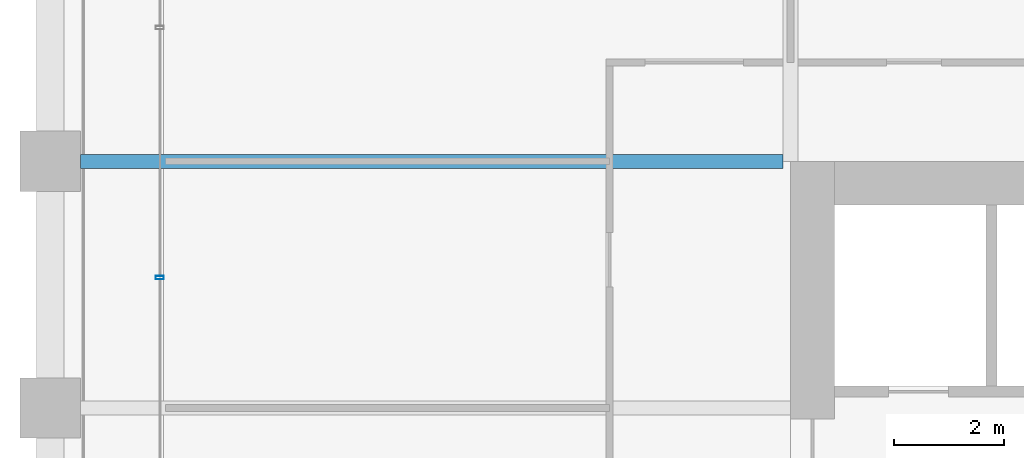
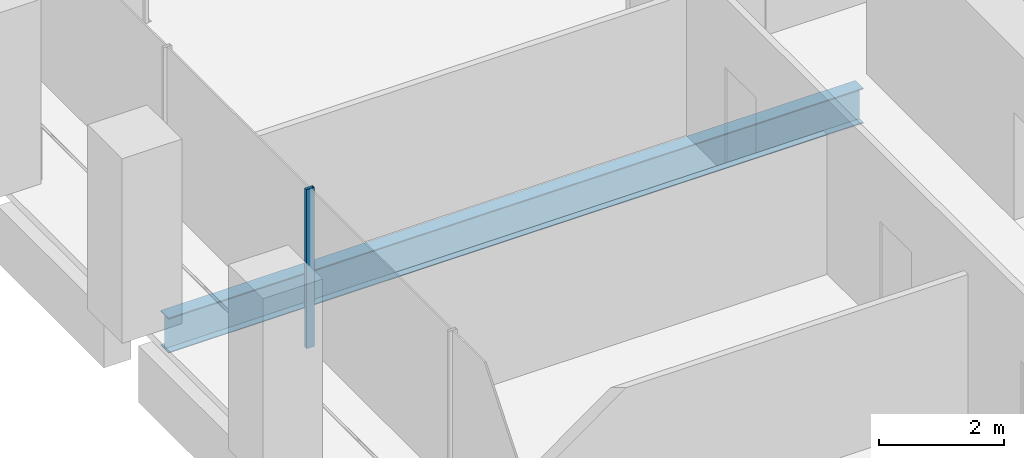
# One storey, part 14 of 56: 1 beam, 1 member, 1 element without a shape of its own.
"""IFC4 building model written with IfcOpenShell, lengths in metres."""

from ifc_helpers import new_model, si_unit, direction, frame, origin, origin_2d, place, context, subcontext, project, spatial, hollow_rectangle, i_section, extrude, material, material_profile, profile_set, type_object, element, aggregate, save


model = new_model("IFC4")

# Units and contexts
model_context = context("Model", 3, precision=1e-05, world=origin(), true_north=direction((0.0, 1.0)))
body_context = subcontext(model_context, "Body", "Model", "MODEL_VIEW")
ifc_project = project(units=[si_unit("LENGTHUNIT", "METRE"), si_unit("AREAUNIT", "SQUARE_METRE"), si_unit("VOLUMEUNIT", "CUBIC_METRE"), si_unit("PLANEANGLEUNIT", "RADIAN"), si_unit("MASSUNIT", "GRAM", prefix="KILO")], contexts=[model_context])

# Site, building, storey
site_placement = place(None, origin())
site = spatial("IfcSite", under=ifc_project, at=site_placement, CompositionType="ELEMENT")
building_placement = place(site_placement, origin())
building = spatial("IfcBuilding", under=site, at=building_placement, Name="Altepetl Exchange Towers", CompositionType="ELEMENT")
storey_placement = place(building_placement, frame((0.0, 0.0, 76.199951171875)))
storey = spatial("IfcBuildingStorey", under=building, at=storey_placement, Name="L18", CompositionType="ELEMENT", Elevation=76.199951171875)

# Beam
ifc_material_1 = material(Name="Steel S355", Category="steel")
ifc_material_profile_1 = material_profile(ifc_material_1, i_section(OverallWidth=0.25390625, OverallDepth=0.68408203125, WebThickness=0.012451171875, FlangeThickness=0.018798828125, at=origin_2d()), Name="W27X94")
ifc_profile_set_1 = profile_set([ifc_material_profile_1], Name="Steel S355")
beam_type = type_object("IfcBeamType", Name="Floor beam W27X94", PredefinedType="BEAM", material=ifc_profile_set_1)
beam_placement = place(storey_placement, frame((27.550048828125, 58.5, -0.491943359375), z_axis=(1.0, 0.0, 0.0), x_axis=(0.0, 1.0, 0.0)))
element("IfcBeam", 1, at=beam_placement, inside=storey, type_object=beam_type, Name="bm:A:L18:021", PredefinedType="BEAM", context=body_context, shape_type="SweptSolid", body=[
    extrude(i_section(OverallWidth=0.25390625, OverallDepth=0.68408203125, WebThickness=0.012451171875, FlangeThickness=0.018798828125, at=origin_2d()), origin(), (0.0, 0.0, 1.0), 12.81591796875),
])

# Curtain wall, member
ifc_material_2 = material(Name="Aluminium 6063-T6 glazing", Category="aluminium")
curtain_wall_type = type_object("IfcCurtainWallType", Name="Loggia glazing system", PredefinedType="NOTDEFINED", material=ifc_material_2)
curtain_wall_placement = place(storey_placement, origin())
curtain_wall = element("IfcCurtainWall", 2, at=curtain_wall_placement, inside=storey, type_object=curtain_wall_type, Name="CW1 run", PredefinedType="NOTDEFINED")
ifc_material_3 = material(Name="Aluminium 6063-T6", Category="aluminium")
ifc_material_profile_2 = material_profile(ifc_material_3, hollow_rectangle(XDim=0.06005859375, YDim=0.14990234375, WallThickness=0.0029296875, at=origin_2d()), Name="Mullion 60x150 aluminium")
ifc_profile_set_2 = profile_set([ifc_material_profile_2], Name="Aluminium 6063-T6")
member_type = type_object("IfcMemberType", Name="Mullion 60x150 aluminium", PredefinedType="MULLION", material=ifc_profile_set_2)
member_placement = place(storey_placement, frame((29.0, 56.378662109375, 0.0), z_axis=(0.0, 0.0, 1.0), x_axis=(0.0, -1.0, 0.0)))
member = element("IfcMember", 3, at=member_placement, type_object=member_type, Name="MU1 mullion", PredefinedType="MULLION", context=body_context, shape_type="SweptSolid", body=[
    extrude(hollow_rectangle(XDim=0.06005859375, YDim=0.14990234375, WallThickness=0.0029296875, at=origin_2d()), origin(), (0.0, 0.0, 1.0), 3.10009765625),
])
aggregate(curtain_wall, [member])

save(model, "model.ifc")
